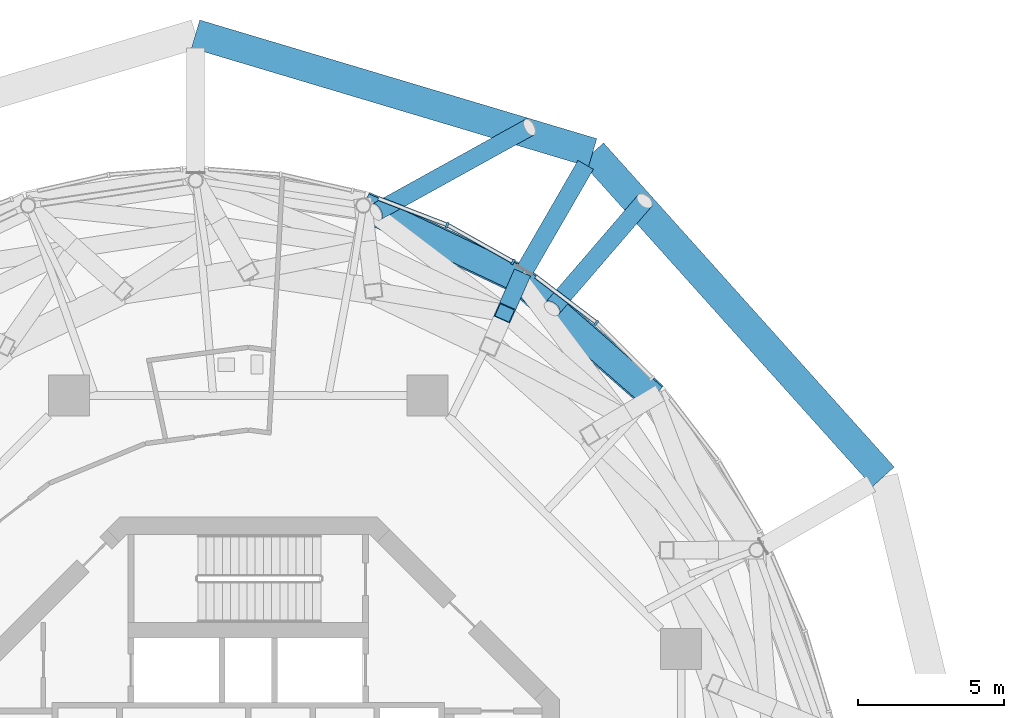
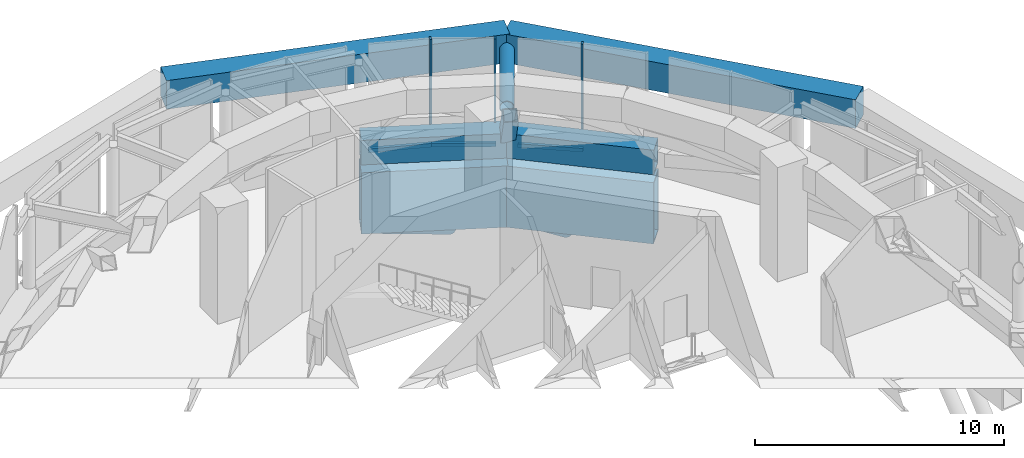
# One storey, part 11 of 22: 11 members, 5 beams, 3 elements without a shape of their own.
"""IFC4 building model written with IfcOpenShell, lengths in metres."""

import ifcopenshell
import ifcopenshell.guid

model = None  # the IFC model being written
_history = None  # IfcOwnerHistory: only IFC2X3 demands one
_inside = {}  # id of a spatial element -> (the spatial element, [elements in it])
_under = {}  # id of a project, library or spatial element -> (it, [spatial elements below it])
_declared = {}  # id of a project -> (the project, [libraries it declares])
_typed = {}  # id of a type object -> (the type object, [elements of that type])
_made_of = {}  # id of a material, layer set ... -> (it, [elements and type objects made of it])


def new_model(schema):
    """Start an empty IFC model of exactly this schema.

    Asked for "IFC4X3", IfcOpenShell would pick the latest addendum, in which some entities
    have other attributes; the version numbers below select the first issue.
    IFC2X3 requires an IfcOwnerHistory on every rooted entity: one is made here for all.
    """
    global model, _history
    if schema == "IFC4X3":
        model = ifcopenshell.file(schema_version=(4, 3, 0, 0))
    else:
        model = ifcopenshell.file(schema=schema)
    _inside.clear()
    _under.clear()
    _declared.clear()
    _typed.clear()
    _made_of.clear()
    _history = None
    if model.schema == "IFC2X3":
        org = make("IfcOrganization", Name="unknown")
        user = make(
            "IfcPersonAndOrganization",
            ThePerson=make("IfcPerson", FamilyName="unknown"),
            TheOrganization=org,
        )
        app = make(
            "IfcApplication",
            ApplicationDeveloper=org,
            Version="unknown",
            ApplicationFullName="unknown",
            ApplicationIdentifier="unknown",
        )
        _history = make(
            "IfcOwnerHistory",
            OwningUser=user,
            OwningApplication=app,
            ChangeAction="ADDED",
            CreationDate=0,
        )
    return model


def make(cls, **values):
    """One entity of the class cls with the attributes given. An attribute that is None is left unset."""
    return model.create_entity(
        cls, **{name: value for name, value in values.items() if value is not None}
    )


def rooted(cls, **values):
    """An entity with a GlobalId (a new one), such as an element, a storey or a relation."""
    return make(cls, GlobalId=ifcopenshell.guid.new(), OwnerHistory=_history, **values)


def si_unit(unit_type, name, prefix=None):
    """IfcSIUnit, for example si_unit("LENGTHUNIT", "METRE", prefix="MILLI")."""
    return make("IfcSIUnit", UnitType=unit_type, Prefix=prefix, Name=name)


def assignment(units):
    """IfcUnitAssignment: the units of a project."""
    return None if units is None else make("IfcUnitAssignment", Units=units)


def point(xyz):
    """IfcCartesianPoint."""
    return None if xyz is None else make("IfcCartesianPoint", Coordinates=xyz)


def direction(xyz):
    """IfcDirection."""
    return None if xyz is None else make("IfcDirection", DirectionRatios=xyz)


def frame(location, z_axis=None, x_axis=None):
    """IfcAxis2Placement3D, a coordinate frame: its origin and axes. An axis left out is left unset."""
    return make(
        "IfcAxis2Placement3D",
        Location=point(location),
        Axis=direction(z_axis),
        RefDirection=direction(x_axis),
    )


def frame_2d(location, x_axis=None):
    """IfcAxis2Placement2D, a coordinate frame in the plane: its origin and x axis."""
    return make(
        "IfcAxis2Placement2D", Location=point(location), RefDirection=direction(x_axis)
    )


def origin():
    """The frame at (0, 0, 0) with its axes left unset."""
    return frame((0.0, 0.0, 0.0))


def origin_2d():
    """The frame at (0, 0) in the plane with its x axis left unset."""
    return frame_2d((0.0, 0.0))


def place(relative_to, where):
    """IfcLocalPlacement: puts the frame where relative to a parent placement (None: the world)."""
    return make(
        "IfcLocalPlacement", PlacementRelTo=relative_to, RelativePlacement=where
    )


def context(
    kind, dimensions, precision=None, world=None, true_north=None, identifier=None
):
    """IfcGeometricRepresentationContext, for example the 3D "Model" context."""
    return make(
        "IfcGeometricRepresentationContext",
        ContextIdentifier=identifier,
        ContextType=kind,
        CoordinateSpaceDimension=dimensions,
        Precision=precision,
        WorldCoordinateSystem=world,
        TrueNorth=true_north,
    )


def subcontext(parent, identifier, kind, view, scale=None):
    """IfcGeometricRepresentationSubContext, for example "Body" below "Model"."""
    return make(
        "IfcGeometricRepresentationSubContext",
        ContextIdentifier=identifier,
        ContextType=kind,
        ParentContext=parent,
        TargetScale=scale,
        TargetView=view,
    )


def project(units=None, contexts=None):
    """IfcProject with its units and contexts."""
    return rooted(
        "IfcProject",
        Name="project",
        RepresentationContexts=contexts,
        UnitsInContext=assignment(units),
    )


def spatial(cls, under=None, at=None, **own):
    """A site, building, storey or space (cls), placed at a placement, below another one or the project."""
    s = rooted(cls, ObjectPlacement=at, **own)
    if under is not None:
        _under.setdefault(under.id(), (under, []))[1].append(s)
    return s


def profile(cls, at=None, kind="AREA", **sizes):
    """A parametric profile (cls). Its sizes go by their IFC names, for example OverallWidth=200.0."""
    return make(cls, ProfileType=kind, Position=at, **sizes)


def rectangle(**sizes):
    """IfcRectangleProfileDef."""
    return profile("IfcRectangleProfileDef", **sizes)


def hollow_rectangle(**sizes):
    """IfcRectangleHollowProfileDef."""
    return profile("IfcRectangleHollowProfileDef", **sizes)


def hollow_circle(**sizes):
    """IfcCircleHollowProfileDef."""
    return profile("IfcCircleHollowProfileDef", **sizes)


def extrude(swept, where, along, depth):
    """IfcExtrudedAreaSolid: the profile swept, set in the frame where, extruded along a direction by depth."""
    return make(
        "IfcExtrudedAreaSolid",
        SweptArea=swept,
        Position=where,
        ExtrudedDirection=direction(along),
        Depth=depth,
    )


def shape(context_of_items, identifier, shape_type, items):
    """IfcShapeRepresentation: the items that make up one representation, for example the "Body"."""
    return make(
        "IfcShapeRepresentation",
        ContextOfItems=context_of_items,
        RepresentationIdentifier=identifier,
        RepresentationType=shape_type,
        Items=items,
    )


def material(Name=None, Category=None):
    """IfcMaterial."""
    return make("IfcMaterial", Name=Name, Category=Category)


def layer(
    of_material, thickness, ventilated=None, Name=None, Category=None, Priority=None
):
    """IfcMaterialLayer: one layer of a wall or slab, of a material (None: an air gap)."""
    return make(
        "IfcMaterialLayer",
        Material=of_material,
        LayerThickness=thickness,
        IsVentilated=ventilated,
        Name=Name,
        Category=Category,
        Priority=Priority,
    )


def layer_set(layers, Name=None):
    """IfcMaterialLayerSet."""
    return make("IfcMaterialLayerSet", MaterialLayers=layers, LayerSetName=Name)


def material_profile(
    of_material, cross_section, Name=None, Category=None, Priority=None
):
    """IfcMaterialProfile: a cross section and its material."""
    return make(
        "IfcMaterialProfile",
        Name=Name,
        Material=of_material,
        Profile=cross_section,
        Priority=Priority,
        Category=Category,
    )


def profile_set(profiles, Name=None, composite=None):
    """IfcMaterialProfileSet."""
    return make(
        "IfcMaterialProfileSet",
        Name=Name,
        MaterialProfiles=profiles,
        CompositeProfile=composite,
    )


def made_of(thing, what):
    """Note that an element or type object is made of a material, layer set ...; save() writes the relation."""
    if what is not None:
        _made_of.setdefault(what.id(), (what, []))[1].append(thing)
    return thing


def type_object(cls, material=None, **own):
    """A type object (cls), such as IfcWallType, which elements share."""
    return made_of(rooted(cls, **own), material)


def element(
    cls,
    number,
    at=None,
    inside=None,
    cuts=None,
    type_object=None,
    material=None,
    context=None,
    identifier="Body",
    shape_type=None,
    held_by="IfcProductDefinitionShape",
    body=None,
    shapes=None,
    **own,
):
    """One element of the class cls, such as IfcWall. Its Tag is "e" and its number.

    at: its placement. inside: the storey or other place that contains it. cuts: it is an
    opening in that element (IfcRelVoidsElement). A single representation is given by context,
    identifier, shape_type and body (its items); several are given by shapes. held_by: the class
    of the entity that holds the representations. save() writes the other relations.
    """
    e = rooted(cls, Tag="e%d" % number, ObjectPlacement=at, **own)
    if body is not None:
        shapes = [shape(context, identifier, shape_type, body)]
    if shapes is not None:
        e.Representation = make(held_by, Representations=shapes)
    if inside is not None:
        _inside.setdefault(inside.id(), (inside, []))[1].append(e)
    if cuts is not None:
        rooted(
            "IfcRelVoidsElement", RelatingBuildingElement=cuts, RelatedOpeningElement=e
        )
    if type_object is not None:
        _typed.setdefault(type_object.id(), (type_object, []))[1].append(e)
    return made_of(e, material)


def aggregate(whole, parts):
    """IfcRelAggregates: a whole, such as a stair, and the parts it consists of."""
    return rooted("IfcRelAggregates", RelatingObject=whole, RelatedObjects=parts)


def save(model, path):
    """Write the relations noted so far, then the file.

    IfcRelAggregates (storeys below a building ...), IfcRelContainedInSpatialStructure (elements
    in a storey), IfcRelDefinesByType, IfcRelAssociatesMaterial and IfcRelDeclares: one each for
    every whole, place, type object, material and project.
    """
    for whole, parts in _under.values():
        aggregate(whole, parts)
    for where, things in _inside.values():
        rooted(
            "IfcRelContainedInSpatialStructure",
            RelatedElements=things,
            RelatingStructure=where,
        )
    for kind, things in _typed.values():
        rooted("IfcRelDefinesByType", RelatedObjects=things, RelatingType=kind)
    for what, things in _made_of.values():
        rooted("IfcRelAssociatesMaterial", RelatedObjects=things, RelatingMaterial=what)
    for by, libraries in _declared.values():
        rooted("IfcRelDeclares", RelatingContext=by, RelatedDefinitions=libraries)
    model.write(path)


model = new_model("IFC4")

# Units and contexts
model_context = context("Model", 3, precision=1e-05, world=origin(), true_north=direction((0.0, 1.0)))
body_context = subcontext(model_context, "Body", "Model", "MODEL_VIEW")
ifc_project = project(units=[si_unit("LENGTHUNIT", "METRE"), si_unit("AREAUNIT", "SQUARE_METRE"), si_unit("VOLUMEUNIT", "CUBIC_METRE"), si_unit("PLANEANGLEUNIT", "RADIAN"), si_unit("MASSUNIT", "GRAM", prefix="KILO")], contexts=[model_context])

# Site, building, storey
site_placement = place(None, origin())
site = spatial("IfcSite", under=ifc_project, at=site_placement, CompositionType="ELEMENT")
building_placement = place(site_placement, origin())
building = spatial("IfcBuilding", under=site, at=building_placement, Name="Nagisa Residences", CompositionType="ELEMENT")
storey_placement = place(building_placement, frame((0.0, 0.0, 310.300048828125)))
storey = spatial("IfcBuildingStorey", under=building, at=storey_placement, Name="L77", CompositionType="ELEMENT", Elevation=310.300048828125)

# Beams
ifc_material_1 = material(Name="Steel ASTM A572 Gr 50", Category="steel")
ifc_material_profile_1 = material_profile(ifc_material_1, hollow_rectangle(XDim=0.89990234375, YDim=1.199951171875, WallThickness=0.0400390625, at=origin_2d()), Name="BX 900x1200x40")
ifc_profile_set_1 = profile_set([ifc_material_profile_1], Name="Steel ASTM A572 Gr 50")
beam_type_1 = type_object("IfcBeamType", Name="Belt chord 6 BX 900x1200x40", PredefinedType="BEAM", material=ifc_profile_set_1)
beam_1_placement = place(storey_placement, frame((13.84130859375, 14.729736328125, 0.599853515625), z_axis=(-0.752385412669, 0.658723151865, 0.0), x_axis=(-0.658723151865, -0.752385412669, 0.0)))
element("IfcBeam", 1, at=beam_1_placement, inside=storey, type_object=beam_type_1, Name="beam:L77:bt6b04", PredefinedType="BEAM", context=body_context, shape_type="SweptSolid", body=[
    extrude(hollow_rectangle(XDim=0.89990234375, YDim=1.199951171875, WallThickness=0.0400390625, at=origin_2d()), origin(), (0.0, 0.0, 1.0), 6.089111328125),
])
beam_2_placement = place(storey_placement, frame((9.260009765625, 18.74072265625, 0.599853515625), z_axis=(-0.904104817547, 0.427310752134, 0.0), x_axis=(-0.427310752134, -0.904104817547, 0.0)))
element("IfcBeam", 2, at=beam_2_placement, inside=storey, type_object=beam_type_1, Name="beam:L77:bt6b05", PredefinedType="BEAM", context=body_context, shape_type="SweptSolid", body=[
    extrude(hollow_rectangle(XDim=0.89990234375, YDim=1.199951171875, WallThickness=0.0400390625, at=origin_2d()), origin(), (0.0, 0.0, 1.0), 5.90087890625),
])
ifc_material_2 = material(Name="Steel ASTM A572 Gr 50", Category="steel")
ifc_material_profile_2 = material_profile(ifc_material_2, hollow_rectangle(XDim=0.60009765625, YDim=0.60009765625, WallThickness=0.034912109375, at=origin_2d()), Name="BX 600x600x35")
ifc_profile_set_2 = profile_set([ifc_material_profile_2], Name="Steel ASTM A572 Gr 50")
beam_type_2 = type_object("IfcBeamType", Name="Belt diagonal 6 BX 600x600x35", PredefinedType="BEAM", material=ifc_profile_set_2)
beam_3_placement = place(storey_placement, frame((9.260009765625, 18.74072265625, 0.599853515625), z_axis=(-0.210388232227, -0.476093621694, 0.853856928954), x_axis=(0.914671487431, -0.404198057987, 0.0)))
element("IfcBeam", 3, at=beam_3_placement, inside=storey, type_object=beam_type_2, Name="beam:L77:bt6la05", PredefinedType="BEAM", context=body_context, shape_type="SweptSolid", body=[
    extrude(hollow_rectangle(XDim=0.60009765625, YDim=0.60009765625, WallThickness=0.034912109375, at=origin_2d()), origin(), (0.0, 0.0, 1.0), 2.40087890625),
])

# Curtain wall, member
ifc_material_3 = material(Name="Aluminium curtain wall system", Category="aluminium")
ifc_layer = layer(ifc_material_3, 0.159912109375)
ifc_layer_set = layer_set([ifc_layer], Name="CW2 CURTAIN WALL")
curtain_wall_type = type_object("IfcCurtainWallType", Name="CW2 CURTAIN WALL", PredefinedType="NOTDEFINED", material=ifc_layer_set)
curtain_wall_1_placement = place(storey_placement, origin())
curtain_wall_1 = element("IfcCurtainWall", 4, at=curtain_wall_1_placement, inside=storey, type_object=curtain_wall_type, Name="cw:CW2:L77:07", PredefinedType="NOTDEFINED")
ifc_material_4 = material(Name="Aluminium", Category="aluminium")
ifc_material_profile_3 = material_profile(ifc_material_4, rectangle(XDim=0.199951171875, YDim=0.080078125, at=origin_2d()), Name="CW2 MULLION 200x80")
ifc_profile_set_3 = profile_set([ifc_material_profile_3], Name="Aluminium")
member_type_1 = type_object("IfcMemberType", Name="CW2 MULLION 200x80", PredefinedType="MULLION", material=ifc_profile_set_3)
member_1_placement = place(storey_placement, frame((11.889892578125, 17.263671875, 0.0), z_axis=(0.0, 0.0, 1.0), x_axis=(-0.605255421737, -0.79603132756, 0.0)))
member_1 = element("IfcMember", 5, at=member_1_placement, type_object=member_type_1, Name="CW2 mullion", PredefinedType="MULLION", context=body_context, shape_type="SweptSolid", body=[
    extrude(rectangle(XDim=0.199951171875, YDim=0.080078125, at=origin_2d()), origin(), (0.0, 0.0, 1.0), 5.300048828125),
])

curtain_wall_2_placement = place(storey_placement, origin())
curtain_wall_2 = element("IfcCurtainWall", 6, at=curtain_wall_2_placement, inside=storey, type_object=curtain_wall_type, Name="cw:CW2:L77:08", PredefinedType="NOTDEFINED")
member_2_placement = place(storey_placement, frame((9.04345703125, 19.34375, 0.0), z_axis=(0.0, 0.0, 1.0), x_axis=(-0.489376918501, -0.872072377523, 0.0)))
member_2 = element("IfcMember", 7, at=member_2_placement, type_object=member_type_1, Name="CW2 mullion", PredefinedType="MULLION", context=body_context, shape_type="SweptSolid", body=[
    extrude(rectangle(XDim=0.199951171875, YDim=0.080078125, at=origin_2d()), origin(), (0.0, 0.0, 1.0), 5.300048828125),
])

curtain_wall_3_placement = place(storey_placement, origin())
curtain_wall_3 = element("IfcCurtainWall", 8, at=curtain_wall_3_placement, inside=storey, type_object=curtain_wall_type, Name="cw:CW2:L77:09", PredefinedType="NOTDEFINED")
member_3_placement = place(storey_placement, frame((6.7900390625, 20.602783203125, 0.0), z_axis=(0.0, 0.0, 1.0), x_axis=(-0.360327770268, -0.932825759707, 0.0)))
member_3 = element("IfcMember", 9, at=member_3_placement, type_object=member_type_1, Name="CW2 mullion", PredefinedType="MULLION", context=body_context, shape_type="SweptSolid", body=[
    extrude(rectangle(XDim=0.199951171875, YDim=0.080078125, at=origin_2d()), origin(), (0.0, 0.0, 1.0), 5.300048828125),
])

# Member
ifc_material_5 = material(Name="Aluminium", Category="aluminium")
ifc_material_profile_4 = material_profile(ifc_material_5, rectangle(XDim=0.139892578125, YDim=0.179931640625, at=origin_2d()), Name="CW2 TRANSOM 140x180")
ifc_profile_set_4 = profile_set([ifc_material_profile_4], Name="Aluminium")
member_type_2 = type_object("IfcMemberType", Name="CW2 TRANSOM 140x180", PredefinedType="USERDEFINED", material=ifc_profile_set_4)
member_4_placement = place(storey_placement, frame((11.921875, 17.239501953125, 0.08984375), z_axis=(-0.796055284084, 0.605223912847, 0.0), x_axis=(-0.605223912847, -0.796055284084, 0.0)))
member_4 = element("IfcMember", 10, at=member_4_placement, type_object=member_type_2, Name="CW2 transom", ObjectType="TRANSOM", PredefinedType="USERDEFINED", context=body_context, shape_type="SweptSolid", body=[
    extrude(rectangle(XDim=0.139892578125, YDim=0.179931640625, at=origin_2d()), origin(), (0.0, 0.0, 1.0), 2.640625),
])

aggregate(curtain_wall_1, [member_1, member_4])

member_5_placement = place(storey_placement, frame((9.078369140625, 19.32421875, 0.08984375), z_axis=(-0.872052877201, 0.489411666561, 0.0), x_axis=(-0.489411666561, -0.872052877201, 0.0)))
member_5 = element("IfcMember", 11, at=member_5_placement, type_object=member_type_2, Name="CW2 transom", ObjectType="TRANSOM", PredefinedType="USERDEFINED", context=body_context, shape_type="SweptSolid", body=[
    extrude(rectangle(XDim=0.139892578125, YDim=0.179931640625, at=origin_2d()), origin(), (0.0, 0.0, 1.0), 2.593017578125),
])

aggregate(curtain_wall_2, [member_2, member_5])

member_6_placement = place(storey_placement, frame((6.827392578125, 20.58837890625, 0.08984375), z_axis=(-0.93282223778, 0.360336887792, 0.0), x_axis=(-0.360336887792, -0.93282223778, 0.0)))
member_6 = element("IfcMember", 12, at=member_6_placement, type_object=member_type_2, Name="CW2 transom", ObjectType="TRANSOM", PredefinedType="USERDEFINED", context=body_context, shape_type="SweptSolid", body=[
    extrude(rectangle(XDim=0.139892578125, YDim=0.179931640625, at=origin_2d()), origin(), (0.0, 0.0, 1.0), 2.5537109375),
])

aggregate(curtain_wall_3, [member_3, member_6])

# Members
ifc_material_6 = material(Name="Concrete C80", Category="concrete")
ifc_material_profile_5 = material_profile(ifc_material_6, rectangle(XDim=1.0, YDim=1.39990234375, at=origin_2d()), Name="C80 1000x1400")
ifc_profile_set_5 = profile_set([ifc_material_profile_5], Name="Concrete C80")
member_type_3 = type_object("IfcMemberType", Name="Cage ring 6 C80 1000x1400", PredefinedType="CHORD", material=ifc_profile_set_5)
member_7_placement = place(storey_placement, frame((21.6865234375, 12.002197265625, 1.89990234375), z_axis=(-0.66765456372, 0.744471210688, 0.0), x_axis=(-0.744471210688, -0.66765456372, 0.0)))
element("IfcMember", 13, at=member_7_placement, inside=storey, type_object=member_type_3, Name="beam:L77:cg6r102", PredefinedType="CHORD", context=body_context, shape_type="SweptSolid", body=[
    extrude(rectangle(XDim=1.0, YDim=1.39990234375, at=origin_2d()), origin(), (0.0, 0.0, 1.0), 14.86767578125),
])
member_8_placement = place(storey_placement, frame((11.760009765625, 23.07080078125, 1.89990234375), z_axis=(-0.95814664846, 0.286277837154, 0.0), x_axis=(-0.286277837154, -0.95814664846, 0.0)))
element("IfcMember", 14, at=member_8_placement, inside=storey, type_object=member_type_3, Name="beam:L77:cg6r103", PredefinedType="CHORD", context=body_context, shape_type="SweptSolid", body=[
    extrude(rectangle(XDim=1.0, YDim=1.39990234375, at=origin_2d()), origin(), (0.0, 0.0, 1.0), 14.15234375),
])
ifc_material_7 = material(Name="Steel ASTM A572 Gr 65", Category="steel")
ifc_material_profile_6 = material_profile(ifc_material_7, hollow_circle(Radius=0.304931640625, WallThickness=0.02490234375, at=origin_2d()), Name="CHS 610x25")
ifc_profile_set_6 = profile_set([ifc_material_profile_6], Name="Steel ASTM A572 Gr 65")
member_type_4 = type_object("IfcMemberType", Name="Cage strut CHS 610x25", PredefinedType="STRUT", material=ifc_profile_set_6)
member_9_placement = place(storey_placement, frame((11.52001953125, 22.6552734375, 1.89990234375), z_axis=(-0.500001501361, -0.866024536972, 0.0), x_axis=(0.866024536972, -0.500001501361, 0.0)))
element("IfcMember", 15, at=member_9_placement, inside=storey, type_object=member_type_4, Name="mem:L77:cg6tie03", PredefinedType="STRUT", context=body_context, shape_type="SweptSolid", body=[
    extrude(hollow_circle(Radius=0.304931640625, WallThickness=0.02490234375, at=origin_2d()), origin(), (0.0, 0.0, 1.0), 4.14013671875),
])
ifc_material_8 = material(Name="Steel ASTM A572 Gr 65", Category="steel")
ifc_material_profile_7 = material_profile(ifc_material_8, hollow_circle(Radius=0.304931640625, WallThickness=0.02490234375, at=origin_2d()), Name="CHS 610x25")
ifc_profile_set_7 = profile_set([ifc_material_profile_7], Name="Steel ASTM A572 Gr 65")
member_type_5 = type_object("IfcMemberType", Name="Portal knee brace CHS 610x25", PredefinedType="BRACE", material=ifc_profile_set_7)
member_10_placement = place(storey_placement, frame((13.532958984375, 21.42041015625, -6.949951171875), z_axis=(-0.522243590793, -0.606365535256, 0.599651956996), x_axis=(0.757709797705, -0.652591650622, 0.0)))
element("IfcMember", 16, at=member_10_placement, inside=storey, type_object=member_type_5, Name="mem:L77:portalknee1", PredefinedType="BRACE", context=body_context, shape_type="SweptSolid", body=[
    extrude(hollow_circle(Radius=0.304931640625, WallThickness=0.02490234375, at=origin_2d()), origin(), (0.0, 0.0, 1.0), 6.03662109375),
])
member_11_placement = place(storey_placement, frame((9.6015625, 23.938720703125, -6.949951171875), z_axis=(-0.748246342806, -0.413932436382, 0.518447054759), x_axis=(0.484069379118, -0.875029620185, 0.0)))
element("IfcMember", 17, at=member_11_placement, inside=storey, type_object=member_type_5, Name="mem:L77:portalknee2", PredefinedType="BRACE", context=body_context, shape_type="SweptSolid", body=[
    extrude(hollow_circle(Radius=0.304931640625, WallThickness=0.02490234375, at=origin_2d()), origin(), (0.0, 0.0, 1.0), 6.982177734375),
])

# Beams
ifc_material_9 = material(Name="Steel ASTM A572 Gr 50", Category="steel")
ifc_material_profile_8 = material_profile(ifc_material_9, hollow_rectangle(XDim=1.0, YDim=3.0, WallThickness=0.070068359375, at=origin_2d()), Name="BX 1000x3000x70")
ifc_profile_set_8 = profile_set([ifc_material_profile_8], Name="Steel ASTM A572 Gr 50")
beam_type_3 = type_object("IfcBeamType", Name="Portal lintel girder BX 1000x3000x70", PredefinedType="BEAM", material=ifc_profile_set_8)
beam_4_placement = place(storey_placement, frame((13.84130859375, 14.729736328125, -1.85009765625), z_axis=(-0.752385412669, 0.658723151865, 0.0), x_axis=(-0.658723151865, -0.752385412669, 0.0)))
element("IfcBeam", 18, at=beam_4_placement, inside=storey, type_object=beam_type_3, Name="beam:L77:pb04", PredefinedType="BEAM", context=body_context, shape_type="SweptSolid", body=[
    extrude(hollow_rectangle(XDim=1.0, YDim=3.0, WallThickness=0.070068359375, at=origin_2d()), origin(), (0.0, 0.0, 1.0), 6.089111328125),
])
beam_5_placement = place(storey_placement, frame((9.260009765625, 18.74072265625, -1.85009765625), z_axis=(-0.904104817547, 0.427310752134, 0.0), x_axis=(-0.427310752134, -0.904104817547, 0.0)))
element("IfcBeam", 19, at=beam_5_placement, inside=storey, type_object=beam_type_3, Name="beam:L77:pb05", PredefinedType="BEAM", context=body_context, shape_type="SweptSolid", body=[
    extrude(hollow_rectangle(XDim=1.0, YDim=3.0, WallThickness=0.070068359375, at=origin_2d()), origin(), (0.0, 0.0, 1.0), 5.90087890625),
])

save(model, "model.ifc")
